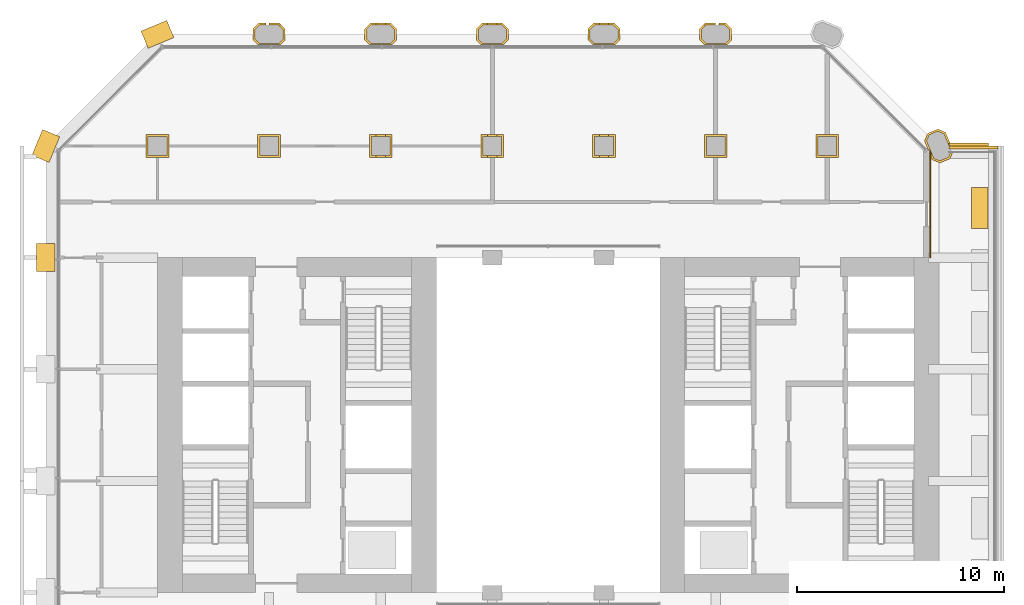
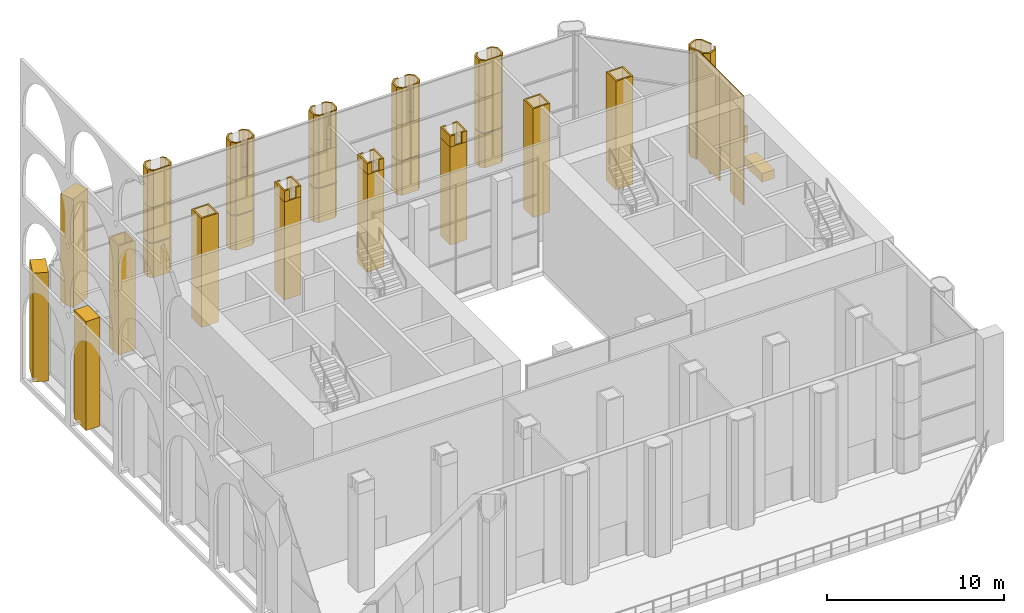
# One storey, part 18 of 20: 41 coverings.
"""IFC4 building model written with IfcOpenShell, lengths in metres."""

from ifc_helpers import new_model, si_unit, direction, frame, frame_2d, origin, origin_2d, place, context, subcontext, project, spatial, polyline, rectangle, outline, extrude, material, layer, layer_set, type_object, element, save


model = new_model("IFC4")

# Units and contexts
model_context = context("Model", 3, precision=1e-05, world=origin(), true_north=direction((0.0, 1.0)))
body_context = subcontext(model_context, "Body", "Model", "MODEL_VIEW")
ifc_project = project(units=[si_unit("LENGTHUNIT", "METRE"), si_unit("AREAUNIT", "SQUARE_METRE"), si_unit("VOLUMEUNIT", "CUBIC_METRE"), si_unit("PLANEANGLEUNIT", "RADIAN"), si_unit("MASSUNIT", "GRAM", prefix="KILO")], contexts=[model_context])

# Site, building, storey
site_placement = place(None, origin())
site = spatial("IfcSite", under=ifc_project, at=site_placement, CompositionType="ELEMENT")
building_placement = place(site_placement, origin())
building = spatial("IfcBuilding", under=site, at=building_placement, Name="Tabaq Tower and Sports Hall", CompositionType="ELEMENT")
storey_placement = place(building_placement, frame((0.0, 0.0, 130.60009765625)))
storey = spatial("IfcBuildingStorey", under=building, at=storey_placement, Name="L31", CompositionType="ELEMENT", Elevation=130.60009765625)

# Coverings
ifc_material_1 = material(Name="Precast concrete C60/75", Category="concrete")
ifc_layer_1 = layer(ifc_material_1, 0.10009765625)
ifc_layer_set_1 = layer_set([ifc_layer_1], Name="Column cladding 100")
covering_type_1 = type_object("IfcCoveringType", Name="Column cladding 100", PredefinedType="CLADDING", material=ifc_layer_set_1)
covering_1_placement = place(storey_placement, origin())
element("IfcCovering", 1, at=covering_1_placement, inside=storey, type_object=covering_type_1, Name="Column cladding L31 CC-2H-S1", PredefinedType="CLADDING", context=body_context, shape_type="SweptSolid", body=[
    extrude(outline(polyline([(4.850341796875, 38.349609375), (5.94970703125, 38.349609375), (5.94970703125, 37.250244140625), (4.850341796875, 37.250244140625), (4.850341796875, 38.349609375)]), holes=[polyline([(5.850341796875, 37.349609375), (5.850341796875, 38.250244140625), (4.94970703125, 38.250244140625), (4.94970703125, 37.349609375), (5.850341796875, 37.349609375)])]), origin(), (0.0, 0.0, 1.0), 7.5),
])
covering_2_placement = place(storey_placement, origin())
element("IfcCovering", 2, at=covering_2_placement, inside=storey, type_object=covering_type_1, Name="Column cladding L31 CC-3H-S1", PredefinedType="CLADDING", context=body_context, shape_type="SweptSolid", body=[
    extrude(outline(polyline([(10.250244140625, 38.349609375), (11.349609375, 38.349609375), (11.349609375, 37.250244140625), (10.250244140625, 37.250244140625), (10.250244140625, 38.349609375)]), holes=[polyline([(11.250244140625, 37.349609375), (11.250244140625, 38.250244140625), (10.349609375, 38.250244140625), (10.349609375, 37.349609375), (11.250244140625, 37.349609375)])]), origin(), (0.0, 0.0, 1.0), 7.5),
])
covering_3_placement = place(storey_placement, frame((0.0, 0.0, 0.114990234375)))
element("IfcCovering", 3, at=covering_3_placement, inside=storey, type_object=covering_type_1, Name="Column cladding L31 PC-3I-S1", PredefinedType="CLADDING", context=body_context, shape_type="SweptSolid", body=[
    extrude(outline(polyline([(10.025390625, 43.46630859375), (10.30859375, 43.749755859375), (10.64453125, 43.749755859375), (10.649658203125, 43.650390625), (10.349853515625, 43.650390625), (10.124755859375, 43.425048828125), (10.124755859375, 42.974853515625), (10.349853515625, 42.749755859375), (11.250244140625, 42.749755859375), (11.475341796875, 42.974853515625), (11.475341796875, 43.425048828125), (11.250244140625, 43.650390625), (10.80029296875, 43.650390625), (10.80029296875, 43.749755859375), (11.291259765625, 43.749755859375), (11.57470703125, 43.46630859375), (11.57470703125, 42.93359375), (11.34130859375, 42.7001953125), (10.2587890625, 42.7001953125), (10.025390625, 42.93359375), (10.025390625, 43.46630859375)])), origin(), (0.0, 0.0, 1.0), 2.349853515625),
])
covering_4_placement = place(storey_placement, frame((0.0, 0.0, 2.534912109375)))
element("IfcCovering", 4, at=covering_4_placement, inside=storey, type_object=covering_type_1, Name="Column cladding L31 PC-3I-S1 2", PredefinedType="CLADDING", context=body_context, shape_type="SweptSolid", body=[
    extrude(outline(polyline([(10.025390625, 43.46630859375), (10.30859375, 43.749755859375), (10.64453125, 43.749755859375), (10.649658203125, 43.650390625), (10.349853515625, 43.650390625), (10.124755859375, 43.425048828125), (10.124755859375, 42.974853515625), (10.349853515625, 42.749755859375), (11.250244140625, 42.749755859375), (11.475341796875, 42.974853515625), (11.475341796875, 43.425048828125), (11.250244140625, 43.650390625), (10.80029296875, 43.650390625), (10.80029296875, 43.749755859375), (11.291259765625, 43.749755859375), (11.57470703125, 43.46630859375), (11.57470703125, 42.93359375), (11.34130859375, 42.7001953125), (10.2587890625, 42.7001953125), (10.025390625, 42.93359375), (10.025390625, 43.46630859375)])), origin(), (0.0, 0.0, 1.0), 2.429931640625),
])
covering_5_placement = place(storey_placement, frame((0.0, 0.0, 4.96484375)))
element("IfcCovering", 5, at=covering_5_placement, inside=storey, type_object=covering_type_1, Name="Column cladding L31 PC-3I-S1 head", PredefinedType="CLADDING", context=body_context, shape_type="SweptSolid", body=[
    extrude(outline(polyline([(10.30859375, 43.749755859375), (10.64453125, 43.749755859375), (10.649658203125, 43.650390625), (10.349853515625, 43.650390625), (10.124755859375, 43.425048828125), (10.124755859375, 42.974853515625), (10.349853515625, 42.749755859375), (11.250244140625, 42.749755859375), (11.475341796875, 42.974853515625), (11.475341796875, 43.425048828125), (11.250732421875, 43.649658203125), (11.391357421875, 43.649658203125), (11.57470703125, 43.46630859375), (11.57470703125, 42.93359375), (11.34130859375, 42.7001953125), (10.2587890625, 42.7001953125), (10.025390625, 42.93359375), (10.025390625, 43.46630859375), (10.30859375, 43.749755859375)])), origin(), (0.0, 0.0, 1.0), 2.53515625),
])
covering_6_placement = place(storey_placement, origin())
element("IfcCovering", 6, at=covering_6_placement, inside=storey, type_object=covering_type_1, Name="Column cladding L31 CC-4H-S1", PredefinedType="CLADDING", context=body_context, shape_type="SweptSolid", body=[
    extrude(outline(polyline([(15.650390625, 38.349609375), (16.749755859375, 38.349609375), (16.749755859375, 37.250244140625), (15.650390625, 37.250244140625), (15.650390625, 38.349609375)]), holes=[polyline([(16.650390625, 37.349609375), (16.650390625, 38.250244140625), (15.749755859375, 38.250244140625), (15.749755859375, 37.349609375), (16.650390625, 37.349609375)])]), origin(), (0.0, 0.0, 1.0), 6.75),
])
covering_7_placement = place(storey_placement, frame((0.0, 0.0, 6.75)))
element("IfcCovering", 7, at=covering_7_placement, inside=storey, type_object=covering_type_1, Name="Column cladding L31 CC-4H-S1 head", PredefinedType="CLADDING", context=body_context, shape_type="SweptSolid", body=[
    extrude(outline(polyline([(16.749755859375, 38.349609375), (16.749755859375, 37.250244140625), (16.42529296875, 37.250244140625), (16.42529296875, 37.349609375), (16.650390625, 37.349609375), (16.650390625, 38.250244140625), (16.42529296875, 38.250244140625), (16.42529296875, 38.349609375), (16.749755859375, 38.349609375)])), origin(), (0.0, 0.0, 1.0), 0.75),
])
covering_8_placement = place(storey_placement, frame((0.0, 0.0, 6.75)))
element("IfcCovering", 8, at=covering_8_placement, inside=storey, type_object=covering_type_1, Name="Column cladding L31 CC-4H-S1 head 2", PredefinedType="CLADDING", context=body_context, shape_type="SweptSolid", body=[
    extrude(outline(polyline([(15.974609375, 38.349609375), (15.974609375, 38.250244140625), (15.749755859375, 38.250244140625), (15.749755859375, 37.349609375), (15.974609375, 37.349609375), (15.974609375, 37.250244140625), (15.650390625, 37.250244140625), (15.650390625, 38.349609375), (15.974609375, 38.349609375)])), origin(), (0.0, 0.0, 1.0), 0.75),
])
covering_9_placement = place(storey_placement, frame((0.0, 0.0, 0.114990234375)))
element("IfcCovering", 9, at=covering_9_placement, inside=storey, type_object=covering_type_1, Name="Column cladding L31 PC-4I-S1", PredefinedType="CLADDING", context=body_context, shape_type="SweptSolid", body=[
    extrude(outline(polyline([(15.42529296875, 43.46630859375), (15.708740234375, 43.749755859375), (16.69140625, 43.749755859375), (16.974609375, 43.46630859375), (16.974609375, 42.93359375), (16.7412109375, 42.7001953125), (15.65869140625, 42.7001953125), (15.42529296875, 42.93359375), (15.42529296875, 43.46630859375)]), holes=[polyline([(16.875244140625, 42.974853515625), (16.875244140625, 43.425048828125), (16.650146484375, 43.650390625), (15.749755859375, 43.650390625), (15.524658203125, 43.425048828125), (15.524658203125, 42.974853515625), (15.749755859375, 42.749755859375), (16.650146484375, 42.749755859375), (16.875244140625, 42.974853515625)])]), origin(), (0.0, 0.0, 1.0), 2.349853515625),
])
covering_10_placement = place(storey_placement, frame((0.0, 0.0, 2.534912109375)))
element("IfcCovering", 10, at=covering_10_placement, inside=storey, type_object=covering_type_1, Name="Column cladding L31 PC-4I-S1 2", PredefinedType="CLADDING", context=body_context, shape_type="SweptSolid", body=[
    extrude(outline(polyline([(15.42529296875, 43.46630859375), (15.708740234375, 43.749755859375), (16.69140625, 43.749755859375), (16.974609375, 43.46630859375), (16.974609375, 42.93359375), (16.7412109375, 42.7001953125), (15.65869140625, 42.7001953125), (15.42529296875, 42.93359375), (15.42529296875, 43.46630859375)]), holes=[polyline([(16.875244140625, 42.974853515625), (16.875244140625, 43.425048828125), (16.650146484375, 43.650390625), (15.749755859375, 43.650390625), (15.524658203125, 43.425048828125), (15.524658203125, 42.974853515625), (15.749755859375, 42.749755859375), (16.650146484375, 42.749755859375), (16.875244140625, 42.974853515625)])]), origin(), (0.0, 0.0, 1.0), 2.429931640625),
])
covering_11_placement = place(storey_placement, frame((0.0, 0.0, 4.96484375)))
element("IfcCovering", 11, at=covering_11_placement, inside=storey, type_object=covering_type_1, Name="Column cladding L31 PC-4I-S1 head", PredefinedType="CLADDING", context=body_context, shape_type="SweptSolid", body=[
    extrude(outline(polyline([(16.69140625, 43.749755859375), (16.974609375, 43.46630859375), (16.974609375, 42.93359375), (16.7412109375, 42.7001953125), (16.42529296875, 42.7001953125), (16.42529296875, 42.749755859375), (16.650146484375, 42.749755859375), (16.875244140625, 42.974853515625), (16.875244140625, 43.425048828125), (16.650146484375, 43.650390625), (16.42529296875, 43.650390625), (16.42529296875, 43.749755859375), (16.69140625, 43.749755859375)])), origin(), (0.0, 0.0, 1.0), 2.53515625),
])
covering_12_placement = place(storey_placement, frame((0.0, 0.0, 4.96484375)))
element("IfcCovering", 12, at=covering_12_placement, inside=storey, type_object=covering_type_1, Name="Column cladding L31 PC-4I-S1 head 2", PredefinedType="CLADDING", context=body_context, shape_type="SweptSolid", body=[
    extrude(outline(polyline([(15.708740234375, 43.749755859375), (15.974609375, 43.749755859375), (15.974609375, 43.650390625), (15.749755859375, 43.650390625), (15.524658203125, 43.425048828125), (15.524658203125, 42.974853515625), (15.749755859375, 42.749755859375), (15.974609375, 42.749755859375), (15.974609375, 42.7001953125), (15.65869140625, 42.7001953125), (15.42529296875, 42.93359375), (15.42529296875, 43.46630859375), (15.708740234375, 43.749755859375)])), origin(), (0.0, 0.0, 1.0), 2.53515625),
])
covering_13_placement = place(storey_placement, origin())
element("IfcCovering", 13, at=covering_13_placement, inside=storey, type_object=covering_type_1, Name="Column cladding L31 CC-5H-S1", PredefinedType="CLADDING", context=body_context, shape_type="SweptSolid", body=[
    extrude(outline(polyline([(21.05029296875, 38.349609375), (22.149658203125, 38.349609375), (22.149658203125, 37.250244140625), (21.05029296875, 37.250244140625), (21.05029296875, 38.349609375)]), holes=[polyline([(22.05029296875, 37.349609375), (22.05029296875, 38.250244140625), (21.149658203125, 38.250244140625), (21.149658203125, 37.349609375), (22.05029296875, 37.349609375)])]), origin(), (0.0, 0.0, 1.0), 6.75),
])
covering_14_placement = place(storey_placement, frame((0.0, 0.0, 6.75)))
element("IfcCovering", 14, at=covering_14_placement, inside=storey, type_object=covering_type_1, Name="Column cladding L31 CC-5H-S1 head", PredefinedType="CLADDING", context=body_context, shape_type="SweptSolid", body=[
    extrude(outline(polyline([(21.374755859375, 38.349609375), (21.374755859375, 38.250244140625), (21.149658203125, 38.250244140625), (21.149658203125, 37.349609375), (21.374755859375, 37.349609375), (21.374755859375, 37.250244140625), (21.05029296875, 37.250244140625), (21.05029296875, 38.349609375), (21.374755859375, 38.349609375)])), origin(), (0.0, 0.0, 1.0), 0.75),
])
covering_15_placement = place(storey_placement, frame((0.0, 0.0, 6.75)))
element("IfcCovering", 15, at=covering_15_placement, inside=storey, type_object=covering_type_1, Name="Column cladding L31 CC-5H-S1 head 2", PredefinedType="CLADDING", context=body_context, shape_type="SweptSolid", body=[
    extrude(outline(polyline([(22.149658203125, 38.349609375), (22.149658203125, 37.250244140625), (21.8251953125, 37.250244140625), (21.8251953125, 37.349609375), (22.05029296875, 37.349609375), (22.05029296875, 38.250244140625), (21.8251953125, 38.250244140625), (21.8251953125, 38.349609375), (22.149658203125, 38.349609375)])), origin(), (0.0, 0.0, 1.0), 0.75),
])
covering_16_placement = place(storey_placement, frame((0.0, 0.0, 0.114990234375)))
element("IfcCovering", 16, at=covering_16_placement, inside=storey, type_object=covering_type_1, Name="Column cladding L31 PC-5I-S1", PredefinedType="CLADDING", context=body_context, shape_type="SweptSolid", body=[
    extrude(outline(polyline([(20.8251953125, 43.46630859375), (21.108642578125, 43.749755859375), (22.09130859375, 43.749755859375), (22.374755859375, 43.46630859375), (22.374755859375, 42.93359375), (22.141357421875, 42.7001953125), (21.05859375, 42.7001953125), (20.8251953125, 42.93359375), (20.8251953125, 43.46630859375)]), holes=[polyline([(22.275390625, 42.974853515625), (22.275390625, 43.425048828125), (22.050048828125, 43.650390625), (21.14990234375, 43.650390625), (20.9248046875, 43.425048828125), (20.9248046875, 42.974853515625), (21.14990234375, 42.749755859375), (22.050048828125, 42.749755859375), (22.275390625, 42.974853515625)])]), origin(), (0.0, 0.0, 1.0), 2.349853515625),
])
covering_17_placement = place(storey_placement, frame((0.0, 0.0, 2.534912109375)))
element("IfcCovering", 17, at=covering_17_placement, inside=storey, type_object=covering_type_1, Name="Column cladding L31 PC-5I-S1 2", PredefinedType="CLADDING", context=body_context, shape_type="SweptSolid", body=[
    extrude(outline(polyline([(20.8251953125, 43.46630859375), (21.108642578125, 43.749755859375), (22.09130859375, 43.749755859375), (22.374755859375, 43.46630859375), (22.374755859375, 42.93359375), (22.141357421875, 42.7001953125), (21.05859375, 42.7001953125), (20.8251953125, 42.93359375), (20.8251953125, 43.46630859375)]), holes=[polyline([(22.275390625, 42.974853515625), (22.275390625, 43.425048828125), (22.050048828125, 43.650390625), (21.14990234375, 43.650390625), (20.9248046875, 43.425048828125), (20.9248046875, 42.974853515625), (21.14990234375, 42.749755859375), (22.050048828125, 42.749755859375), (22.275390625, 42.974853515625)])]), origin(), (0.0, 0.0, 1.0), 2.429931640625),
])
covering_18_placement = place(storey_placement, frame((0.0, 0.0, 4.96484375)))
element("IfcCovering", 18, at=covering_18_placement, inside=storey, type_object=covering_type_1, Name="Column cladding L31 PC-5I-S1 head", PredefinedType="CLADDING", context=body_context, shape_type="SweptSolid", body=[
    extrude(outline(polyline([(21.108642578125, 43.749755859375), (21.374755859375, 43.749755859375), (21.374755859375, 43.650390625), (21.14990234375, 43.650390625), (20.9248046875, 43.425048828125), (20.9248046875, 42.974853515625), (21.14990234375, 42.749755859375), (21.374755859375, 42.749755859375), (21.374755859375, 42.7001953125), (21.05859375, 42.7001953125), (20.8251953125, 42.93359375), (20.8251953125, 43.46630859375), (21.108642578125, 43.749755859375)])), origin(), (0.0, 0.0, 1.0), 2.53515625),
])
covering_19_placement = place(storey_placement, frame((0.0, 0.0, 4.96484375)))
element("IfcCovering", 19, at=covering_19_placement, inside=storey, type_object=covering_type_1, Name="Column cladding L31 PC-5I-S1 head 2", PredefinedType="CLADDING", context=body_context, shape_type="SweptSolid", body=[
    extrude(outline(polyline([(22.09130859375, 43.749755859375), (22.374755859375, 43.46630859375), (22.374755859375, 42.93359375), (22.141357421875, 42.7001953125), (21.8251953125, 42.7001953125), (21.8251953125, 42.749755859375), (22.050048828125, 42.749755859375), (22.275390625, 42.974853515625), (22.275390625, 43.425048828125), (22.050048828125, 43.650390625), (21.8251953125, 43.650390625), (21.8251953125, 43.749755859375), (22.09130859375, 43.749755859375)])), origin(), (0.0, 0.0, 1.0), 2.53515625),
])
covering_20_placement = place(storey_placement, origin())
element("IfcCovering", 20, at=covering_20_placement, inside=storey, type_object=covering_type_1, Name="Column cladding L31 CC-6H-S1", PredefinedType="CLADDING", context=body_context, shape_type="SweptSolid", body=[
    extrude(outline(polyline([(26.4501953125, 38.349609375), (27.5498046875, 38.349609375), (27.5498046875, 37.250244140625), (26.4501953125, 37.250244140625), (26.4501953125, 38.349609375)]), holes=[polyline([(27.4501953125, 37.349609375), (27.4501953125, 38.250244140625), (26.5498046875, 38.250244140625), (26.5498046875, 37.349609375), (27.4501953125, 37.349609375)])]), origin(), (0.0, 0.0, 1.0), 6.75),
])
covering_21_placement = place(storey_placement, frame((0.0, 0.0, 6.75)))
element("IfcCovering", 21, at=covering_21_placement, inside=storey, type_object=covering_type_1, Name="Column cladding L31 CC-6H-S1 head", PredefinedType="CLADDING", context=body_context, shape_type="SweptSolid", body=[
    extrude(outline(polyline([(26.774658203125, 38.349609375), (26.774658203125, 38.250244140625), (26.5498046875, 38.250244140625), (26.5498046875, 37.349609375), (26.774658203125, 37.349609375), (26.774658203125, 37.250244140625), (26.4501953125, 37.250244140625), (26.4501953125, 38.349609375), (26.774658203125, 38.349609375)])), origin(), (0.0, 0.0, 1.0), 0.75),
])
covering_22_placement = place(storey_placement, frame((0.0, 0.0, 6.75)))
element("IfcCovering", 22, at=covering_22_placement, inside=storey, type_object=covering_type_1, Name="Column cladding L31 CC-6H-S1 head 2", PredefinedType="CLADDING", context=body_context, shape_type="SweptSolid", body=[
    extrude(outline(polyline([(27.5498046875, 38.349609375), (27.5498046875, 37.250244140625), (27.225341796875, 37.250244140625), (27.225341796875, 37.349609375), (27.4501953125, 37.349609375), (27.4501953125, 38.250244140625), (27.225341796875, 38.250244140625), (27.225341796875, 38.349609375), (27.5498046875, 38.349609375)])), origin(), (0.0, 0.0, 1.0), 0.75),
])
covering_23_placement = place(storey_placement, frame((0.0, 0.0, 0.114990234375)))
element("IfcCovering", 23, at=covering_23_placement, inside=storey, type_object=covering_type_1, Name="Column cladding L31 PC-6I-S1", PredefinedType="CLADDING", context=body_context, shape_type="SweptSolid", body=[
    extrude(outline(polyline([(26.225341796875, 43.46630859375), (26.5087890625, 43.749755859375), (27.4912109375, 43.749755859375), (27.774658203125, 43.46630859375), (27.774658203125, 42.93359375), (27.541259765625, 42.7001953125), (26.458740234375, 42.7001953125), (26.225341796875, 42.93359375), (26.225341796875, 43.46630859375)]), holes=[polyline([(27.67529296875, 42.974853515625), (27.67529296875, 43.425048828125), (27.4501953125, 43.650390625), (26.5498046875, 43.650390625), (26.32470703125, 43.425048828125), (26.32470703125, 42.974853515625), (26.5498046875, 42.749755859375), (27.4501953125, 42.749755859375), (27.67529296875, 42.974853515625)])]), origin(), (0.0, 0.0, 1.0), 2.349853515625),
])
covering_24_placement = place(storey_placement, frame((0.0, 0.0, 2.534912109375)))
element("IfcCovering", 24, at=covering_24_placement, inside=storey, type_object=covering_type_1, Name="Column cladding L31 PC-6I-S1 2", PredefinedType="CLADDING", context=body_context, shape_type="SweptSolid", body=[
    extrude(outline(polyline([(26.225341796875, 43.46630859375), (26.5087890625, 43.749755859375), (27.4912109375, 43.749755859375), (27.774658203125, 43.46630859375), (27.774658203125, 42.93359375), (27.541259765625, 42.7001953125), (26.458740234375, 42.7001953125), (26.225341796875, 42.93359375), (26.225341796875, 43.46630859375)]), holes=[polyline([(27.67529296875, 42.974853515625), (27.67529296875, 43.425048828125), (27.4501953125, 43.650390625), (26.5498046875, 43.650390625), (26.32470703125, 43.425048828125), (26.32470703125, 42.974853515625), (26.5498046875, 42.749755859375), (27.4501953125, 42.749755859375), (27.67529296875, 42.974853515625)])]), origin(), (0.0, 0.0, 1.0), 2.429931640625),
])
covering_25_placement = place(storey_placement, frame((0.0, 0.0, 4.96484375)))
element("IfcCovering", 25, at=covering_25_placement, inside=storey, type_object=covering_type_1, Name="Column cladding L31 PC-6I-S1 head", PredefinedType="CLADDING", context=body_context, shape_type="SweptSolid", body=[
    extrude(outline(polyline([(26.5087890625, 43.749755859375), (26.774658203125, 43.749755859375), (26.774658203125, 43.650390625), (26.5498046875, 43.650390625), (26.32470703125, 43.425048828125), (26.32470703125, 42.974853515625), (26.5498046875, 42.749755859375), (26.774658203125, 42.749755859375), (26.774658203125, 42.7001953125), (26.458740234375, 42.7001953125), (26.225341796875, 42.93359375), (26.225341796875, 43.46630859375), (26.5087890625, 43.749755859375)])), origin(), (0.0, 0.0, 1.0), 2.53515625),
])
covering_26_placement = place(storey_placement, frame((0.0, 0.0, 4.96484375)))
element("IfcCovering", 26, at=covering_26_placement, inside=storey, type_object=covering_type_1, Name="Column cladding L31 PC-6I-S1 head 2", PredefinedType="CLADDING", context=body_context, shape_type="SweptSolid", body=[
    extrude(outline(polyline([(27.4912109375, 43.749755859375), (27.774658203125, 43.46630859375), (27.774658203125, 42.93359375), (27.541259765625, 42.7001953125), (27.225341796875, 42.7001953125), (27.225341796875, 42.749755859375), (27.4501953125, 42.749755859375), (27.67529296875, 42.974853515625), (27.67529296875, 43.425048828125), (27.4501953125, 43.650390625), (27.225341796875, 43.650390625), (27.225341796875, 43.749755859375), (27.4912109375, 43.749755859375)])), origin(), (0.0, 0.0, 1.0), 2.53515625),
])
covering_27_placement = place(storey_placement, origin())
element("IfcCovering", 27, at=covering_27_placement, inside=storey, type_object=covering_type_1, Name="Column cladding L31 CC-7H-S1", PredefinedType="CLADDING", context=body_context, shape_type="SweptSolid", body=[
    extrude(outline(polyline([(31.850341796875, 38.349609375), (32.94970703125, 38.349609375), (32.94970703125, 37.250244140625), (31.850341796875, 37.250244140625), (31.850341796875, 38.349609375)]), holes=[polyline([(32.850341796875, 37.349609375), (32.850341796875, 38.250244140625), (31.94970703125, 38.250244140625), (31.94970703125, 37.349609375), (32.850341796875, 37.349609375)])]), origin(), (0.0, 0.0, 1.0), 7.5),
])
covering_28_placement = place(storey_placement, frame((0.0, 0.0, 0.114990234375)))
element("IfcCovering", 28, at=covering_28_placement, inside=storey, type_object=covering_type_1, Name="Column cladding L31 PC-7I-S1", PredefinedType="CLADDING", context=body_context, shape_type="SweptSolid", body=[
    extrude(outline(polyline([(31.625244140625, 43.46630859375), (31.90869140625, 43.749755859375), (32.399658203125, 43.749755859375), (32.399658203125, 43.650390625), (31.949951171875, 43.650390625), (31.724609375, 43.425048828125), (31.724609375, 42.974853515625), (31.949951171875, 42.749755859375), (32.85009765625, 42.749755859375), (33.0751953125, 42.974853515625), (33.0751953125, 43.425048828125), (32.85009765625, 43.650390625), (32.55029296875, 43.650390625), (32.5556640625, 43.749755859375), (32.891357421875, 43.749755859375), (33.1748046875, 43.46630859375), (33.1748046875, 42.93359375), (32.94140625, 42.7001953125), (31.858642578125, 42.7001953125), (31.625244140625, 42.93359375), (31.625244140625, 43.46630859375)])), origin(), (0.0, 0.0, 1.0), 2.349853515625),
])
covering_29_placement = place(storey_placement, frame((0.0, 0.0, 2.534912109375)))
element("IfcCovering", 29, at=covering_29_placement, inside=storey, type_object=covering_type_1, Name="Column cladding L31 PC-7I-S1 2", PredefinedType="CLADDING", context=body_context, shape_type="SweptSolid", body=[
    extrude(outline(polyline([(31.625244140625, 43.46630859375), (31.90869140625, 43.749755859375), (32.399658203125, 43.749755859375), (32.399658203125, 43.650390625), (31.949951171875, 43.650390625), (31.724609375, 43.425048828125), (31.724609375, 42.974853515625), (31.949951171875, 42.749755859375), (32.85009765625, 42.749755859375), (33.0751953125, 42.974853515625), (33.0751953125, 43.425048828125), (32.85009765625, 43.650390625), (32.55029296875, 43.650390625), (32.5556640625, 43.749755859375), (32.891357421875, 43.749755859375), (33.1748046875, 43.46630859375), (33.1748046875, 42.93359375), (32.94140625, 42.7001953125), (31.858642578125, 42.7001953125), (31.625244140625, 42.93359375), (31.625244140625, 43.46630859375)])), origin(), (0.0, 0.0, 1.0), 2.429931640625),
])
covering_30_placement = place(storey_placement, frame((0.0, 0.0, 4.96484375)))
element("IfcCovering", 30, at=covering_30_placement, inside=storey, type_object=covering_type_1, Name="Column cladding L31 PC-7I-S1 head", PredefinedType="CLADDING", context=body_context, shape_type="SweptSolid", body=[
    extrude(outline(polyline([(31.80859375, 43.649658203125), (31.94921875, 43.649658203125), (31.724609375, 43.425048828125), (31.724609375, 42.974853515625), (31.949951171875, 42.749755859375), (32.85009765625, 42.749755859375), (33.0751953125, 42.974853515625), (33.0751953125, 43.425048828125), (32.85009765625, 43.650390625), (32.55029296875, 43.650390625), (32.5556640625, 43.749755859375), (32.891357421875, 43.749755859375), (33.1748046875, 43.46630859375), (33.1748046875, 42.93359375), (32.94140625, 42.7001953125), (31.858642578125, 42.7001953125), (31.625244140625, 42.93359375), (31.625244140625, 43.46630859375), (31.80859375, 43.649658203125)])), origin(), (0.0, 0.0, 1.0), 2.53515625),
])
covering_31_placement = place(storey_placement, origin())
element("IfcCovering", 31, at=covering_31_placement, inside=storey, type_object=covering_type_1, Name="Column cladding L31 CC-8H-S1", PredefinedType="CLADDING", context=body_context, shape_type="SweptSolid", body=[
    extrude(outline(polyline([(37.250244140625, 38.349609375), (38.349609375, 38.349609375), (38.349609375, 37.250244140625), (37.250244140625, 37.250244140625), (37.250244140625, 38.349609375)]), holes=[polyline([(38.250244140625, 37.349609375), (38.250244140625, 38.250244140625), (37.349609375, 38.250244140625), (37.349609375, 37.349609375), (38.250244140625, 37.349609375)])]), origin(), (0.0, 0.0, 1.0), 7.5),
])
covering_32_placement = place(storey_placement, origin())
element("IfcCovering", 32, at=covering_32_placement, inside=storey, type_object=covering_type_1, Name="Column cladding L31 PC-9H-S1", PredefinedType="CLADDING", context=body_context, shape_type="SweptSolid", body=[
    extrude(outline(polyline([(43.25048828125, 36.982421875), (42.880126953125, 37.1357421875), (42.810302734375, 37.304443359375), (42.810302734375, 37.55712890625), (42.750244140625, 37.55712890625), (42.750244140625, 37.614013671875), (42.68212890625, 37.614013671875), (42.504150390625, 38.04345703125), (42.657470703125, 38.413818359375), (43.149658203125, 38.61767578125), (43.519775390625, 38.46435546875), (43.794921875, 37.80029296875), (43.69970703125, 37.80029296875), (43.69970703125, 37.770263671875), (43.44384765625, 38.38818359375), (43.149658203125, 38.510009765625), (42.733642578125, 38.337646484375), (42.61181640625, 38.04345703125), (42.956298828125, 37.2119140625), (43.25048828125, 37.08984375), (43.66650390625, 37.26220703125), (43.7607421875, 37.48974609375), (43.8681640625, 37.48974609375), (43.742431640625, 37.186279296875), (43.25048828125, 36.982421875)])), origin(), (0.0, 0.0, 1.0), 7.5),
])
ifc_material_2 = material(Name="White precast concrete C60/75", Category="concrete")
covering_type_2 = type_object("IfcCoveringType", Name="Pier cladding hung 1350x900", PredefinedType="CLADDING", material=ifc_material_2)
covering_33_placement = place(storey_placement, frame((0.0, 33.074951171875, 0.0), z_axis=(0.0, 0.0, 1.0), x_axis=(0.0, -1.0, 0.0)))
element("IfcCovering", 33, at=covering_33_placement, inside=storey, type_object=covering_type_2, Name="Hung pier cladding 0/6", PredefinedType="CLADDING", context=body_context, shape_type="SweptSolid", body=[
    extrude(rectangle(XDim=1.349853515625, YDim=0.89990234375, at=frame_2d((0.6748046875, 0.0))), origin(), (0.0, 0.0, 1.0), 7.5),
])
for number, where, z_axis, x_axis, name in (
    (34, (0.25830078125, 38.423583984375, 0.0), (0.0, 0.0, 1.0), (-0.382649923473, -0.923893411637, 0.0), "Hung pier cladding 0/7"),
    (35, (6.023681640625, 43.458251953125, 0.0), (0.0, 0.0, 1.0), (-0.923893411637, -0.382649923473, 0.0), "Hung pier cladding 1/8"),
):
    element("IfcCovering", number, at=place(storey_placement, frame(where, z_axis=z_axis, x_axis=x_axis)), inside=storey, type_object=covering_type_2, Name=name, PredefinedType="CLADDING", context=body_context, shape_type="SweptSolid", body=[
        extrude(rectangle(XDim=1.35009765625, YDim=0.89990234375, at=frame_2d((0.675048828125, 0.0))), origin(), (0.0, 0.0, 1.0), 7.5),
    ])
ifc_material_3 = material(Name="Planting soil and drainage layer")
covering_type_3 = type_object("IfcCoveringType", Name="Planter 2000x800x600", PredefinedType="USERDEFINED", material=ifc_material_3)
covering_34_placement = place(storey_placement, frame((45.169921875, 34.800048828125, -0.000244140625), z_axis=(0.0, 0.0, 1.0), x_axis=(0.0, 1.0, 0.0)))
element("IfcCovering", 36, at=covering_34_placement, inside=storey, type_object=covering_type_3, Name="Planter L31", ObjectType="PLANTER", PredefinedType="USERDEFINED", context=body_context, shape_type="SweptSolid", body=[
    extrude(rectangle(XDim=2.0, YDim=0.800048828125, at=origin_2d()), origin(), (0.0, 0.0, 1.0), 0.60009765625),
])
ifc_material_4 = material(Name="Precast concrete C60/75", Category="concrete")
ifc_layer_2 = layer(ifc_material_4, 0.14990234375)
ifc_layer_set_2 = layer_set([ifc_layer_2], Name="Tray fascia 1200")
covering_type_4 = type_object("IfcCoveringType", Name="Tray fascia 1200", PredefinedType="CLADDING", material=ifc_layer_set_2)
covering_35_placement = place(storey_placement, frame((43.69677734375, 37.875, -1.5), z_axis=(0.0, 0.0, 1.0), x_axis=(1.0, 0.0, 0.0)))
element("IfcCovering", 37, at=covering_35_placement, inside=storey, type_object=covering_type_4, Name="Tray fascia L31 EBT", PredefinedType="CLADDING", context=body_context, shape_type="SweptSolid", body=[
    extrude(rectangle(XDim=1.9033203125, YDim=0.14990234375, at=frame_2d((0.95166015625, 0.0))), origin(), (0.0, 0.0, 1.0), 1.5),
])
ifc_material_5 = material(Name="Precast concrete C60/75", Category="concrete")
ifc_layer_3 = layer(ifc_material_5, 0.14990234375)
ifc_layer_set_3 = layer_set([ifc_layer_3], Name="Tray upstand cladding 1100")
covering_type_5 = type_object("IfcCoveringType", Name="Tray upstand cladding 1100", PredefinedType="CLADDING", material=ifc_layer_set_3)
covering_36_placement = place(storey_placement, frame((43.699951171875, 37.72509765625, 0.0), z_axis=(0.0, 0.0, 1.0), x_axis=(1.0, 0.0, 0.0)))
element("IfcCovering", 38, at=covering_36_placement, inside=storey, type_object=covering_type_5, Name="Tray upstand cladding L31", PredefinedType="CLADDING", context=body_context, shape_type="SweptSolid", body=[
    extrude(rectangle(XDim=2.35009765625, YDim=0.14990234375, at=frame_2d((1.175048828125, 0.0))), origin(), (0.0, 0.0, 1.0), 1.099853515625),
])
ifc_material_6 = material(Name="Precast concrete C60/75", Category="concrete")
ifc_layer_4 = layer(ifc_material_6, 0.06005859375)
ifc_layer_set_4 = layer_set([ifc_layer_4], Name="White precast cladding panel 60 C60/75")
covering_type_6 = type_object("IfcCoveringType", Name="White precast cladding panel 60 C60/75", PredefinedType="CLADDING", material=ifc_layer_set_4)
covering_37_placement = place(storey_placement, frame((42.780029296875, 32.39990234375, 0.0), z_axis=(0.0, 0.0, 1.0), x_axis=(0.0, 1.0, 0.0)))
element("IfcCovering", 39, at=covering_37_placement, inside=storey, type_object=covering_type_6, Name="White precast cladding panel L31 infill01-1-0", PredefinedType="CLADDING", context=body_context, shape_type="SweptSolid", body=[
    extrude(rectangle(XDim=1.489990234375, YDim=0.06005859375, at=frame_2d((0.7451171875, 0.0))), origin(), (0.0, 0.0, 1.0), 7.5),
])
covering_38_placement = place(storey_placement, frame((42.780029296875, 33.889892578125, 2.409912109375), z_axis=(0.0, 0.0, 1.0), x_axis=(0.0, 1.0, 0.0)))
element("IfcCovering", 40, at=covering_38_placement, inside=storey, type_object=covering_type_6, Name="White precast cladding panel L31 infill01-1-0 2", PredefinedType="CLADDING", context=body_context, shape_type="SweptSolid", body=[
    extrude(rectangle(XDim=1.22021484375, YDim=0.06005859375, at=frame_2d((0.610107421875, 0.0))), origin(), (0.0, 0.0, 1.0), 5.090087890625),
])
covering_39_placement = place(storey_placement, frame((42.780029296875, 35.110107421875, 0.0), z_axis=(0.0, 0.0, 1.0), x_axis=(0.0, 1.0, 0.0)))
element("IfcCovering", 41, at=covering_39_placement, inside=storey, type_object=covering_type_6, Name="White precast cladding panel L31 infill01-1-0 3", PredefinedType="CLADDING", context=body_context, shape_type="SweptSolid", body=[
    extrude(rectangle(XDim=2.44677734375, YDim=0.06005859375, at=frame_2d((1.223388671875, 0.0))), origin(), (0.0, 0.0, 1.0), 7.5),
])

save(model, "model.ifc")
